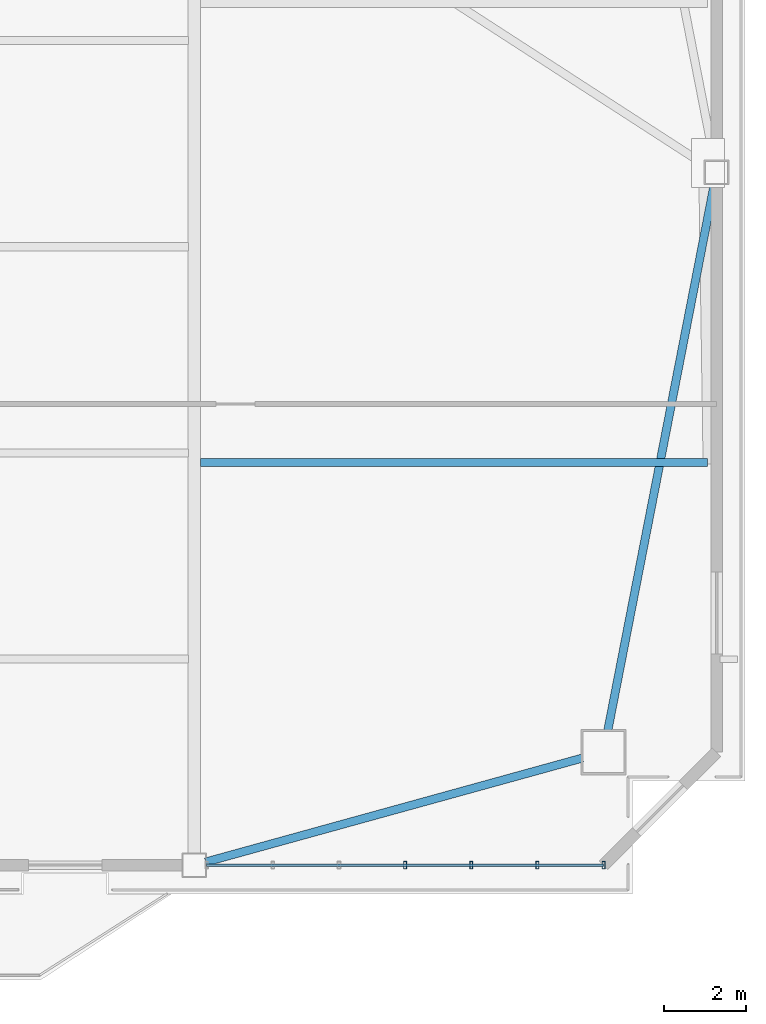
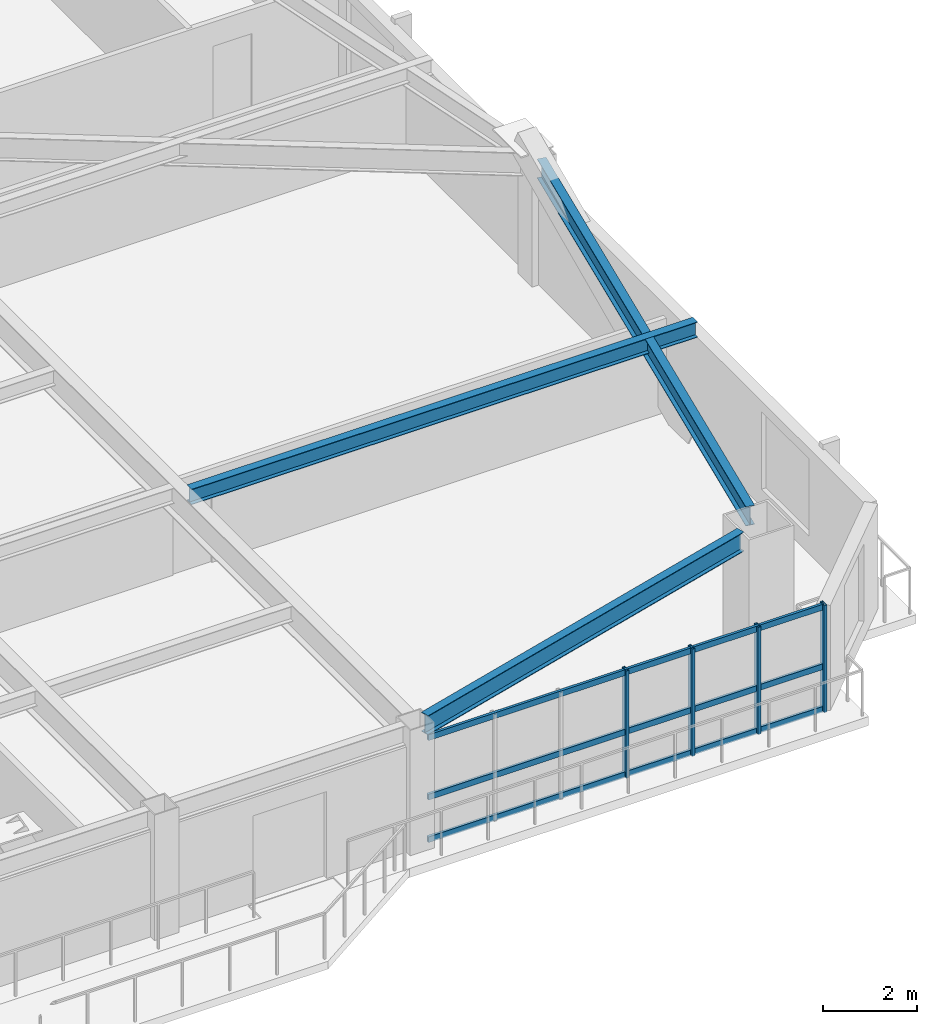
# One storey, part 6 of 17: 7 members, 3 beams, 1 element without a shape of its own.
"""IFC4 building model written with IfcOpenShell, lengths in metres."""

import ifcopenshell
import ifcopenshell.guid

model = None  # the IFC model being written
_history = None  # IfcOwnerHistory: only IFC2X3 demands one
_inside = {}  # id of a spatial element -> (the spatial element, [elements in it])
_under = {}  # id of a project, library or spatial element -> (it, [spatial elements below it])
_declared = {}  # id of a project -> (the project, [libraries it declares])
_typed = {}  # id of a type object -> (the type object, [elements of that type])
_made_of = {}  # id of a material, layer set ... -> (it, [elements and type objects made of it])


def new_model(schema):
    """Start an empty IFC model of exactly this schema.

    Asked for "IFC4X3", IfcOpenShell would pick the latest addendum, in which some entities
    have other attributes; the version numbers below select the first issue.
    IFC2X3 requires an IfcOwnerHistory on every rooted entity: one is made here for all.
    """
    global model, _history
    if schema == "IFC4X3":
        model = ifcopenshell.file(schema_version=(4, 3, 0, 0))
    else:
        model = ifcopenshell.file(schema=schema)
    _inside.clear()
    _under.clear()
    _declared.clear()
    _typed.clear()
    _made_of.clear()
    _history = None
    if model.schema == "IFC2X3":
        org = make("IfcOrganization", Name="unknown")
        user = make(
            "IfcPersonAndOrganization",
            ThePerson=make("IfcPerson", FamilyName="unknown"),
            TheOrganization=org,
        )
        app = make(
            "IfcApplication",
            ApplicationDeveloper=org,
            Version="unknown",
            ApplicationFullName="unknown",
            ApplicationIdentifier="unknown",
        )
        _history = make(
            "IfcOwnerHistory",
            OwningUser=user,
            OwningApplication=app,
            ChangeAction="ADDED",
            CreationDate=0,
        )
    return model


def make(cls, **values):
    """One entity of the class cls with the attributes given. An attribute that is None is left unset."""
    return model.create_entity(
        cls, **{name: value for name, value in values.items() if value is not None}
    )


def rooted(cls, **values):
    """An entity with a GlobalId (a new one), such as an element, a storey or a relation."""
    return make(cls, GlobalId=ifcopenshell.guid.new(), OwnerHistory=_history, **values)


def si_unit(unit_type, name, prefix=None):
    """IfcSIUnit, for example si_unit("LENGTHUNIT", "METRE", prefix="MILLI")."""
    return make("IfcSIUnit", UnitType=unit_type, Prefix=prefix, Name=name)


def assignment(units):
    """IfcUnitAssignment: the units of a project."""
    return None if units is None else make("IfcUnitAssignment", Units=units)


def point(xyz):
    """IfcCartesianPoint."""
    return None if xyz is None else make("IfcCartesianPoint", Coordinates=xyz)


def direction(xyz):
    """IfcDirection."""
    return None if xyz is None else make("IfcDirection", DirectionRatios=xyz)


def frame(location, z_axis=None, x_axis=None):
    """IfcAxis2Placement3D, a coordinate frame: its origin and axes. An axis left out is left unset."""
    return make(
        "IfcAxis2Placement3D",
        Location=point(location),
        Axis=direction(z_axis),
        RefDirection=direction(x_axis),
    )


def frame_2d(location, x_axis=None):
    """IfcAxis2Placement2D, a coordinate frame in the plane: its origin and x axis."""
    return make(
        "IfcAxis2Placement2D", Location=point(location), RefDirection=direction(x_axis)
    )


def origin():
    """The frame at (0, 0, 0) with its axes left unset."""
    return frame((0.0, 0.0, 0.0))


def origin_2d():
    """The frame at (0, 0) in the plane with its x axis left unset."""
    return frame_2d((0.0, 0.0))


def place(relative_to, where):
    """IfcLocalPlacement: puts the frame where relative to a parent placement (None: the world)."""
    return make(
        "IfcLocalPlacement", PlacementRelTo=relative_to, RelativePlacement=where
    )


def context(
    kind, dimensions, precision=None, world=None, true_north=None, identifier=None
):
    """IfcGeometricRepresentationContext, for example the 3D "Model" context."""
    return make(
        "IfcGeometricRepresentationContext",
        ContextIdentifier=identifier,
        ContextType=kind,
        CoordinateSpaceDimension=dimensions,
        Precision=precision,
        WorldCoordinateSystem=world,
        TrueNorth=true_north,
    )


def subcontext(parent, identifier, kind, view, scale=None):
    """IfcGeometricRepresentationSubContext, for example "Body" below "Model"."""
    return make(
        "IfcGeometricRepresentationSubContext",
        ContextIdentifier=identifier,
        ContextType=kind,
        ParentContext=parent,
        TargetScale=scale,
        TargetView=view,
    )


def project(units=None, contexts=None):
    """IfcProject with its units and contexts."""
    return rooted(
        "IfcProject",
        Name="project",
        RepresentationContexts=contexts,
        UnitsInContext=assignment(units),
    )


def spatial(cls, under=None, at=None, **own):
    """A site, building, storey or space (cls), placed at a placement, below another one or the project."""
    s = rooted(cls, ObjectPlacement=at, **own)
    if under is not None:
        _under.setdefault(under.id(), (under, []))[1].append(s)
    return s


def profile(cls, at=None, kind="AREA", **sizes):
    """A parametric profile (cls). Its sizes go by their IFC names, for example OverallWidth=200.0."""
    return make(cls, ProfileType=kind, Position=at, **sizes)


def hollow_rectangle(**sizes):
    """IfcRectangleHollowProfileDef."""
    return profile("IfcRectangleHollowProfileDef", **sizes)


def i_section(**sizes):
    """IfcIShapeProfileDef."""
    return profile("IfcIShapeProfileDef", **sizes)


def extrude(swept, where, along, depth):
    """IfcExtrudedAreaSolid: the profile swept, set in the frame where, extruded along a direction by depth."""
    return make(
        "IfcExtrudedAreaSolid",
        SweptArea=swept,
        Position=where,
        ExtrudedDirection=direction(along),
        Depth=depth,
    )


def shape(context_of_items, identifier, shape_type, items):
    """IfcShapeRepresentation: the items that make up one representation, for example the "Body"."""
    return make(
        "IfcShapeRepresentation",
        ContextOfItems=context_of_items,
        RepresentationIdentifier=identifier,
        RepresentationType=shape_type,
        Items=items,
    )


def source(mapping_origin, context_of_items, identifier, shape_type, items):
    """IfcRepresentationMap: a shape defined once, which mapped items show again and again."""
    return make(
        "IfcRepresentationMap",
        MappingOrigin=mapping_origin,
        MappedRepresentation=shape(context_of_items, identifier, shape_type, items),
    )


def transform(
    local_origin,
    x_axis=None,
    y_axis=None,
    z_axis=None,
    scale=None,
    scale2=None,
    scale3=None,
    uniform=True,
):
    """IfcCartesianTransformationOperator3D, or its non-uniform kind. x_axis, y_axis, z_axis: its Axis1, 2, 3."""
    if uniform:
        return make(
            "IfcCartesianTransformationOperator3D",
            Axis1=direction(x_axis),
            Axis2=direction(y_axis),
            LocalOrigin=point(local_origin),
            Scale=scale,
            Axis3=direction(z_axis),
        )
    return make(
        "IfcCartesianTransformationOperator3DnonUniform",
        Axis1=direction(x_axis),
        Axis2=direction(y_axis),
        LocalOrigin=point(local_origin),
        Scale=scale,
        Axis3=direction(z_axis),
        Scale2=scale2,
        Scale3=scale3,
    )


def mapped(mapping_source, mapping_target):
    """IfcMappedItem: shows the shape of a source again, moved by a transform."""
    return make(
        "IfcMappedItem", MappingSource=mapping_source, MappingTarget=mapping_target
    )


def material(Name=None, Category=None):
    """IfcMaterial."""
    return make("IfcMaterial", Name=Name, Category=Category)


def layer(
    of_material, thickness, ventilated=None, Name=None, Category=None, Priority=None
):
    """IfcMaterialLayer: one layer of a wall or slab, of a material (None: an air gap)."""
    return make(
        "IfcMaterialLayer",
        Material=of_material,
        LayerThickness=thickness,
        IsVentilated=ventilated,
        Name=Name,
        Category=Category,
        Priority=Priority,
    )


def layer_set(layers, Name=None):
    """IfcMaterialLayerSet."""
    return make("IfcMaterialLayerSet", MaterialLayers=layers, LayerSetName=Name)


def material_profile(
    of_material, cross_section, Name=None, Category=None, Priority=None
):
    """IfcMaterialProfile: a cross section and its material."""
    return make(
        "IfcMaterialProfile",
        Name=Name,
        Material=of_material,
        Profile=cross_section,
        Priority=Priority,
        Category=Category,
    )


def profile_set(profiles, Name=None, composite=None):
    """IfcMaterialProfileSet."""
    return make(
        "IfcMaterialProfileSet",
        Name=Name,
        MaterialProfiles=profiles,
        CompositeProfile=composite,
    )


def made_of(thing, what):
    """Note that an element or type object is made of a material, layer set ...; save() writes the relation."""
    if what is not None:
        _made_of.setdefault(what.id(), (what, []))[1].append(thing)
    return thing


def type_object(cls, material=None, **own):
    """A type object (cls), such as IfcWallType, which elements share."""
    return made_of(rooted(cls, **own), material)


def element(
    cls,
    number,
    at=None,
    inside=None,
    cuts=None,
    type_object=None,
    material=None,
    context=None,
    identifier="Body",
    shape_type=None,
    held_by="IfcProductDefinitionShape",
    body=None,
    shapes=None,
    **own,
):
    """One element of the class cls, such as IfcWall. Its Tag is "e" and its number.

    at: its placement. inside: the storey or other place that contains it. cuts: it is an
    opening in that element (IfcRelVoidsElement). A single representation is given by context,
    identifier, shape_type and body (its items); several are given by shapes. held_by: the class
    of the entity that holds the representations. save() writes the other relations.
    """
    e = rooted(cls, Tag="e%d" % number, ObjectPlacement=at, **own)
    if body is not None:
        shapes = [shape(context, identifier, shape_type, body)]
    if shapes is not None:
        e.Representation = make(held_by, Representations=shapes)
    if inside is not None:
        _inside.setdefault(inside.id(), (inside, []))[1].append(e)
    if cuts is not None:
        rooted(
            "IfcRelVoidsElement", RelatingBuildingElement=cuts, RelatedOpeningElement=e
        )
    if type_object is not None:
        _typed.setdefault(type_object.id(), (type_object, []))[1].append(e)
    return made_of(e, material)


def aggregate(whole, parts):
    """IfcRelAggregates: a whole, such as a stair, and the parts it consists of."""
    return rooted("IfcRelAggregates", RelatingObject=whole, RelatedObjects=parts)


def save(model, path):
    """Write the relations noted so far, then the file.

    IfcRelAggregates (storeys below a building ...), IfcRelContainedInSpatialStructure (elements
    in a storey), IfcRelDefinesByType, IfcRelAssociatesMaterial and IfcRelDeclares: one each for
    every whole, place, type object, material and project.
    """
    for whole, parts in _under.values():
        aggregate(whole, parts)
    for where, things in _inside.values():
        rooted(
            "IfcRelContainedInSpatialStructure",
            RelatedElements=things,
            RelatingStructure=where,
        )
    for kind, things in _typed.values():
        rooted("IfcRelDefinesByType", RelatedObjects=things, RelatingType=kind)
    for what, things in _made_of.values():
        rooted("IfcRelAssociatesMaterial", RelatedObjects=things, RelatingMaterial=what)
    for by, libraries in _declared.values():
        rooted("IfcRelDeclares", RelatingContext=by, RelatedDefinitions=libraries)
    model.write(path)


model = new_model("IFC4")

# Units and contexts
model_context = context("Model", 3, precision=1e-05, world=origin(), true_north=direction((0.0, 1.0)))
body_context = subcontext(model_context, "Body", "Model", "MODEL_VIEW")
ifc_project = project(units=[si_unit("LENGTHUNIT", "METRE"), si_unit("AREAUNIT", "SQUARE_METRE"), si_unit("VOLUMEUNIT", "CUBIC_METRE"), si_unit("PLANEANGLEUNIT", "RADIAN"), si_unit("MASSUNIT", "GRAM", prefix="KILO")], contexts=[model_context])

# Site, building, storey
site_placement = place(None, origin())
site = spatial("IfcSite", under=ifc_project, at=site_placement, CompositionType="ELEMENT")
building_placement = place(site_placement, origin())
building = spatial("IfcBuilding", under=site, at=building_placement, Name="Giltprow Tower", CompositionType="ELEMENT")
storey_placement = place(building_placement, frame((0.0, 0.0, 216.699951171875)))
storey = spatial("IfcBuildingStorey", under=building, at=storey_placement, Name="L55", CompositionType="ELEMENT", Elevation=216.699951171875)

# Beams
ifc_material_1 = material(Name="Structural steel Q355B", Category="steel")
ifc_material_profile_1 = material_profile(ifc_material_1, i_section(OverallWidth=0.199951171875, OverallDepth=0.5, WebThickness=0.010009765625, FlangeThickness=0.01611328125, at=origin_2d()), Name="HN 500x200x10x16")
ifc_profile_set_1 = profile_set([ifc_material_profile_1], Name="Structural steel Q355B")
beam_type_1 = type_object("IfcBeamType", Name="BM-SPAN-HN500", PredefinedType="SPANDREL", material=ifc_profile_set_1)
shared_shape_1 = source(origin(), body_context, "Body", "SweptSolid", [
    extrude(i_section(OverallWidth=0.199951171875, OverallDepth=0.5, WebThickness=0.010009765625, FlangeThickness=0.01611328125, at=origin_2d()), origin(), (0.0, 0.0, 1.0), 9.530517578125),
])
beam_1_placement = place(storey_placement, frame((50.824951171875, 12.39404296875, 2.989990234375), z_axis=(0.963951167116, 0.266079212672, 0.0), x_axis=(-0.266079212672, 0.963951167116, 0.0)))
element("IfcBeam", 1, at=beam_1_placement, inside=storey, type_object=beam_type_1, Name="L55 Perimeter Spandrel Beam S4-MC_SE", PredefinedType="SPANDREL", context=body_context, shape_type="MappedRepresentation", body=[
    mapped(shared_shape_1, transform((0.0, 0.0, 0.0), x_axis=(1.0, 0.0, 0.0), y_axis=(0.0, 1.0, 0.0), z_axis=(0.0, 0.0, 1.0), scale=1.0)),
])
shared_shape_2 = source(origin(), body_context, "Body", "SweptSolid", [
    extrude(i_section(OverallWidth=0.199951171875, OverallDepth=0.5, WebThickness=0.010009765625, FlangeThickness=0.01611328125, at=origin_2d()), origin(), (0.0, 0.0, 1.0), 13.582763671875),
])
beam_2_placement = place(storey_placement, frame((60.6298828125, 15.596923828125, 2.989990234375), z_axis=(0.191281458671, 0.98153522788, 0.0), x_axis=(-0.98153522788, 0.191281458671, 0.0)))
element("IfcBeam", 2, at=beam_2_placement, inside=storey, type_object=beam_type_1, Name="L55 Perimeter Spandrel Beam MC_SE-E_MID", PredefinedType="SPANDREL", context=body_context, shape_type="MappedRepresentation", body=[
    mapped(shared_shape_2, transform((0.0, 0.0, 0.0), x_axis=(1.0, 0.0, 0.0), y_axis=(0.0, 1.0, 0.0), z_axis=(0.0, 0.0, 1.0), scale=1.0)),
])
ifc_material_profile_2 = material_profile(ifc_material_1, i_section(OverallWidth=0.199951171875, OverallDepth=0.39990234375, WebThickness=0.008056640625, FlangeThickness=0.012939453125, at=origin_2d()), Name="HN 400x200x8x13")
ifc_profile_set_2 = profile_set([ifc_material_profile_2], Name="Structural steel Q355B")
beam_type_2 = type_object("IfcBeamType", Name="BM-JOIST-HN400", PredefinedType="JOIST", material=ifc_profile_set_2)
shared_shape_3 = source(origin(), body_context, "Body", "SweptSolid", [
    extrude(i_section(OverallWidth=0.199951171875, OverallDepth=0.39990234375, WebThickness=0.008056640625, FlangeThickness=0.012939453125, at=origin_2d()), origin(), (0.0, 0.0, 1.0), 12.366943359375),
])
beam_3_placement = place(storey_placement, frame((50.695068359375, 22.139892578125, 3.0400390625), z_axis=(1.0, 0.0, 0.0), x_axis=(0.0, 1.0, 0.0)))
element("IfcBeam", 3, at=beam_3_placement, inside=storey, type_object=beam_type_2, Name="L55 East Wing Floor Joist 1", PredefinedType="JOIST", context=body_context, shape_type="MappedRepresentation", body=[
    mapped(shared_shape_3, transform((0.0, 0.0, 0.0), x_axis=(1.0, 0.0, 0.0), y_axis=(0.0, 1.0, 0.0), z_axis=(0.0, 0.0, 1.0), scale=1.0)),
])

# Curtain wall, members
ifc_material_2 = material(Name="Anodized bronze", Category="metal")
ifc_layer = layer(ifc_material_2, 0.179931640625, Name="Anodized bronze")
ifc_layer_set = layer_set([ifc_layer], Name="Anodized bronze")
curtain_wall_type = type_object("IfcCurtainWallType", Name="CW-HTL-BRONZE", PredefinedType="NOTDEFINED", material=ifc_layer_set)
curtain_wall_placement = place(storey_placement, origin())
curtain_wall = element("IfcCurtainWall", 4, at=curtain_wall_placement, inside=storey, type_object=curtain_wall_type, Name="L55 South Recessed Curtain Wall 6", PredefinedType="NOTDEFINED")
ifc_material_profile_3 = material_profile(ifc_material_2, hollow_rectangle(XDim=0.06494140625, YDim=0.14990234375, WallThickness=0.006103515625, at=origin_2d()), Name="RHS 150x65x6")
ifc_profile_set_3 = profile_set([ifc_material_profile_3], Name="Anodized bronze")
member_type_1 = type_object("IfcMemberType", Name="CW-TRANSOM-150x65", PredefinedType="USERDEFINED", material=ifc_profile_set_3)
shared_shape_4 = source(origin(), body_context, "Body", "SweptSolid", [
    extrude(hollow_rectangle(XDim=0.06494140625, YDim=0.14990234375, WallThickness=0.006103515625, at=origin_2d()), origin(), (0.0, 0.0, 1.0), 9.677978515625),
])
member_1_placement = place(storey_placement, frame((50.85009765625, 12.318115234375, 0.0400390625), z_axis=(1.0, 0.0, 0.0), x_axis=(0.0, 1.0, 0.0)))
member_1 = element("IfcMember", 5, at=member_1_placement, type_object=member_type_1, Name="L55 South Recessed Curtain Wall 6 Transom 1", ObjectType="TRANSOM", PredefinedType="USERDEFINED", context=body_context, shape_type="MappedRepresentation", body=[
    mapped(shared_shape_4, transform((0.0, 0.0, 0.0), x_axis=(1.0, 0.0, 0.0), y_axis=(0.0, 1.0, 0.0), z_axis=(0.0, 0.0, 1.0), scale=1.0)),
])
member_2_placement = place(storey_placement, frame((50.85009765625, 12.318115234375, 1.14208984375), z_axis=(1.0, 0.0, 0.0), x_axis=(0.0, 1.0, 0.0)))
member_2 = element("IfcMember", 6, at=member_2_placement, type_object=member_type_1, Name="L55 South Recessed Curtain Wall 6 Transom 2", ObjectType="TRANSOM", PredefinedType="USERDEFINED", context=body_context, shape_type="MappedRepresentation", body=[
    mapped(shared_shape_4, transform((0.0, 0.0, 0.0), x_axis=(1.0, 0.0, 0.0), y_axis=(0.0, 1.0, 0.0), z_axis=(0.0, 0.0, 1.0), scale=1.0)),
])
member_3_placement = place(storey_placement, frame((50.85009765625, 12.318115234375, 2.679931640625), z_axis=(1.0, 0.0, 0.0), x_axis=(0.0, 1.0, 0.0)))
member_3 = element("IfcMember", 7, at=member_3_placement, type_object=member_type_1, Name="L55 South Recessed Curtain Wall 6 Transom 3", ObjectType="TRANSOM", PredefinedType="USERDEFINED", context=body_context, shape_type="MappedRepresentation", body=[
    mapped(shared_shape_4, transform((0.0, 0.0, 0.0), x_axis=(1.0, 0.0, 0.0), y_axis=(0.0, 1.0, 0.0), z_axis=(0.0, 0.0, 1.0), scale=1.0)),
])
ifc_material_profile_4 = material_profile(ifc_material_2, hollow_rectangle(XDim=0.074951171875, YDim=0.179931640625, WallThickness=0.008056640625, at=origin_2d()), Name="RHS 180x75x8")
ifc_profile_set_4 = profile_set([ifc_material_profile_4], Name="Anodized bronze")
member_type_2 = type_object("IfcMemberType", Name="CW-MULLION-180x75", PredefinedType="MULLION", material=ifc_profile_set_4)
shared_shape_5 = source(origin(), body_context, "Body", "SweptSolid", [
    extrude(hollow_rectangle(XDim=0.074951171875, YDim=0.179931640625, WallThickness=0.008056640625, at=origin_2d()), origin(), (0.0, 0.0, 1.0), 2.775146484375),
])
member_4_placement = place(storey_placement, frame((55.68896484375, 12.318115234375, -0.02001953125), z_axis=(0.0, 0.0, 1.0), x_axis=(1.0, 0.0, 0.0)))
member_4 = element("IfcMember", 8, at=member_4_placement, type_object=member_type_2, Name="L55 South Recessed Curtain Wall 6 Mullion 4", PredefinedType="MULLION", context=body_context, shape_type="MappedRepresentation", body=[
    mapped(shared_shape_5, transform((0.0, 0.0, 0.0), x_axis=(1.0, 0.0, 0.0), y_axis=(0.0, 1.0, 0.0), z_axis=(0.0, 0.0, 1.0), scale=1.0)),
])
member_5_placement = place(storey_placement, frame((57.302001953125, 12.318115234375, -0.02001953125), z_axis=(0.0, 0.0, 1.0), x_axis=(1.0, 0.0, 0.0)))
member_5 = element("IfcMember", 9, at=member_5_placement, type_object=member_type_2, Name="L55 South Recessed Curtain Wall 6 Mullion 5", PredefinedType="MULLION", context=body_context, shape_type="MappedRepresentation", body=[
    mapped(shared_shape_5, transform((0.0, 0.0, 0.0), x_axis=(1.0, 0.0, 0.0), y_axis=(0.0, 1.0, 0.0), z_axis=(0.0, 0.0, 1.0), scale=1.0)),
])
member_6_placement = place(storey_placement, frame((58.9150390625, 12.318115234375, -0.02001953125), z_axis=(0.0, 0.0, 1.0), x_axis=(1.0, 0.0, 0.0)))
member_6 = element("IfcMember", 10, at=member_6_placement, type_object=member_type_2, Name="L55 South Recessed Curtain Wall 6 Mullion 6", PredefinedType="MULLION", context=body_context, shape_type="MappedRepresentation", body=[
    mapped(shared_shape_5, transform((0.0, 0.0, 0.0), x_axis=(1.0, 0.0, 0.0), y_axis=(0.0, 1.0, 0.0), z_axis=(0.0, 0.0, 1.0), scale=1.0)),
])
member_7_placement = place(storey_placement, frame((60.528076171875, 12.318115234375, -0.02001953125), z_axis=(0.0, 0.0, 1.0), x_axis=(1.0, 0.0, 0.0)))
member_7 = element("IfcMember", 11, at=member_7_placement, type_object=member_type_2, Name="L55 South Recessed Curtain Wall 6 Mullion 7", PredefinedType="MULLION", context=body_context, shape_type="MappedRepresentation", body=[
    mapped(shared_shape_5, transform((0.0, 0.0, 0.0), x_axis=(1.0, 0.0, 0.0), y_axis=(0.0, 1.0, 0.0), z_axis=(0.0, 0.0, 1.0), scale=1.0)),
])
aggregate(curtain_wall, [member_4, member_5, member_6, member_7, member_1, member_2, member_3])

save(model, "model.ifc")
